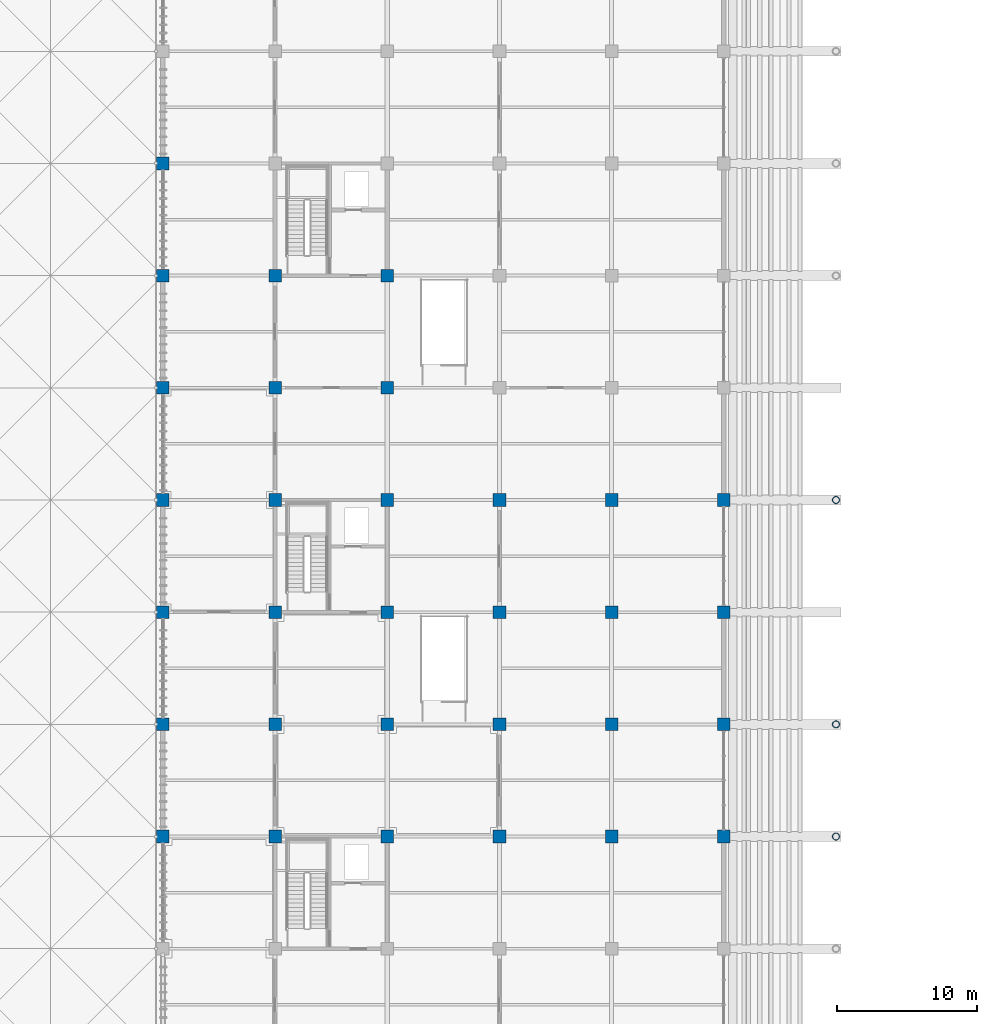
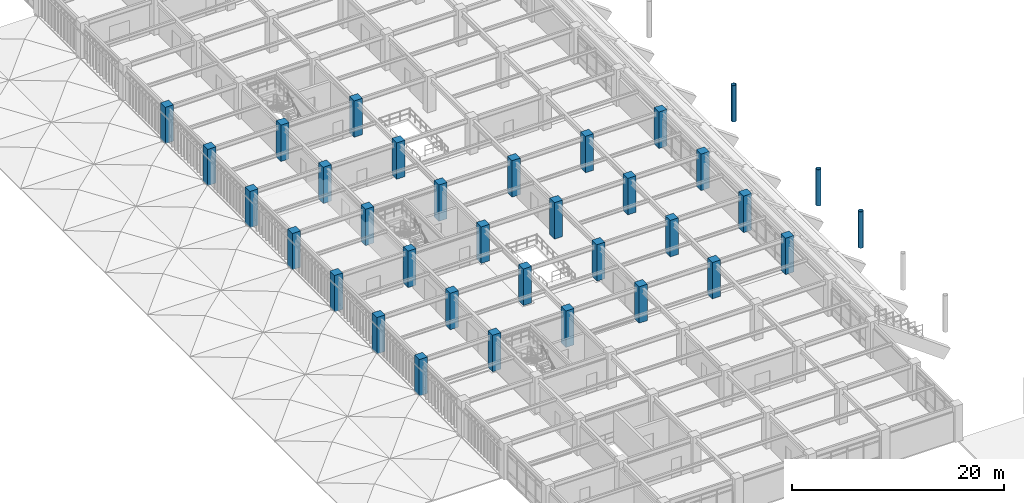
# One storey, part 4 of 118: 34 columns.
"""IFC4 building model written with IfcOpenShell, lengths in metres."""

import ifcopenshell
import ifcopenshell.guid

model = None  # the IFC model being written
_history = None  # IfcOwnerHistory: only IFC2X3 demands one
_inside = {}  # id of a spatial element -> (the spatial element, [elements in it])
_under = {}  # id of a project, library or spatial element -> (it, [spatial elements below it])
_declared = {}  # id of a project -> (the project, [libraries it declares])
_typed = {}  # id of a type object -> (the type object, [elements of that type])
_made_of = {}  # id of a material, layer set ... -> (it, [elements and type objects made of it])


def new_model(schema):
    """Start an empty IFC model of exactly this schema.

    Asked for "IFC4X3", IfcOpenShell would pick the latest addendum, in which some entities
    have other attributes; the version numbers below select the first issue.
    IFC2X3 requires an IfcOwnerHistory on every rooted entity: one is made here for all.
    """
    global model, _history
    if schema == "IFC4X3":
        model = ifcopenshell.file(schema_version=(4, 3, 0, 0))
    else:
        model = ifcopenshell.file(schema=schema)
    _inside.clear()
    _under.clear()
    _declared.clear()
    _typed.clear()
    _made_of.clear()
    _history = None
    if model.schema == "IFC2X3":
        org = make("IfcOrganization", Name="unknown")
        user = make(
            "IfcPersonAndOrganization",
            ThePerson=make("IfcPerson", FamilyName="unknown"),
            TheOrganization=org,
        )
        app = make(
            "IfcApplication",
            ApplicationDeveloper=org,
            Version="unknown",
            ApplicationFullName="unknown",
            ApplicationIdentifier="unknown",
        )
        _history = make(
            "IfcOwnerHistory",
            OwningUser=user,
            OwningApplication=app,
            ChangeAction="ADDED",
            CreationDate=0,
        )
    return model


def make(cls, **values):
    """One entity of the class cls with the attributes given. An attribute that is None is left unset."""
    return model.create_entity(
        cls, **{name: value for name, value in values.items() if value is not None}
    )


def rooted(cls, **values):
    """An entity with a GlobalId (a new one), such as an element, a storey or a relation."""
    return make(cls, GlobalId=ifcopenshell.guid.new(), OwnerHistory=_history, **values)


def si_unit(unit_type, name, prefix=None):
    """IfcSIUnit, for example si_unit("LENGTHUNIT", "METRE", prefix="MILLI")."""
    return make("IfcSIUnit", UnitType=unit_type, Prefix=prefix, Name=name)


def assignment(units):
    """IfcUnitAssignment: the units of a project."""
    return None if units is None else make("IfcUnitAssignment", Units=units)


def point(xyz):
    """IfcCartesianPoint."""
    return None if xyz is None else make("IfcCartesianPoint", Coordinates=xyz)


def direction(xyz):
    """IfcDirection."""
    return None if xyz is None else make("IfcDirection", DirectionRatios=xyz)


def frame(location, z_axis=None, x_axis=None):
    """IfcAxis2Placement3D, a coordinate frame: its origin and axes. An axis left out is left unset."""
    return make(
        "IfcAxis2Placement3D",
        Location=point(location),
        Axis=direction(z_axis),
        RefDirection=direction(x_axis),
    )


def frame_2d(location, x_axis=None):
    """IfcAxis2Placement2D, a coordinate frame in the plane: its origin and x axis."""
    return make(
        "IfcAxis2Placement2D", Location=point(location), RefDirection=direction(x_axis)
    )


def origin():
    """The frame at (0, 0, 0) with its axes left unset."""
    return frame((0.0, 0.0, 0.0))


def origin_2d():
    """The frame at (0, 0) in the plane with its x axis left unset."""
    return frame_2d((0.0, 0.0))


def place(relative_to, where):
    """IfcLocalPlacement: puts the frame where relative to a parent placement (None: the world)."""
    return make(
        "IfcLocalPlacement", PlacementRelTo=relative_to, RelativePlacement=where
    )


def context(
    kind, dimensions, precision=None, world=None, true_north=None, identifier=None
):
    """IfcGeometricRepresentationContext, for example the 3D "Model" context."""
    return make(
        "IfcGeometricRepresentationContext",
        ContextIdentifier=identifier,
        ContextType=kind,
        CoordinateSpaceDimension=dimensions,
        Precision=precision,
        WorldCoordinateSystem=world,
        TrueNorth=true_north,
    )


def subcontext(parent, identifier, kind, view, scale=None):
    """IfcGeometricRepresentationSubContext, for example "Body" below "Model"."""
    return make(
        "IfcGeometricRepresentationSubContext",
        ContextIdentifier=identifier,
        ContextType=kind,
        ParentContext=parent,
        TargetScale=scale,
        TargetView=view,
    )


def project(units=None, contexts=None):
    """IfcProject with its units and contexts."""
    return rooted(
        "IfcProject",
        Name="project",
        RepresentationContexts=contexts,
        UnitsInContext=assignment(units),
    )


def spatial(cls, under=None, at=None, **own):
    """A site, building, storey or space (cls), placed at a placement, below another one or the project."""
    s = rooted(cls, ObjectPlacement=at, **own)
    if under is not None:
        _under.setdefault(under.id(), (under, []))[1].append(s)
    return s


def profile(cls, at=None, kind="AREA", **sizes):
    """A parametric profile (cls). Its sizes go by their IFC names, for example OverallWidth=200.0."""
    return make(cls, ProfileType=kind, Position=at, **sizes)


def rectangle(**sizes):
    """IfcRectangleProfileDef."""
    return profile("IfcRectangleProfileDef", **sizes)


def hollow_circle(**sizes):
    """IfcCircleHollowProfileDef."""
    return profile("IfcCircleHollowProfileDef", **sizes)


def extrude(swept, where, along, depth):
    """IfcExtrudedAreaSolid: the profile swept, set in the frame where, extruded along a direction by depth."""
    return make(
        "IfcExtrudedAreaSolid",
        SweptArea=swept,
        Position=where,
        ExtrudedDirection=direction(along),
        Depth=depth,
    )


def shape(context_of_items, identifier, shape_type, items):
    """IfcShapeRepresentation: the items that make up one representation, for example the "Body"."""
    return make(
        "IfcShapeRepresentation",
        ContextOfItems=context_of_items,
        RepresentationIdentifier=identifier,
        RepresentationType=shape_type,
        Items=items,
    )


def material(Name=None, Category=None):
    """IfcMaterial."""
    return make("IfcMaterial", Name=Name, Category=Category)


def material_profile(
    of_material, cross_section, Name=None, Category=None, Priority=None
):
    """IfcMaterialProfile: a cross section and its material."""
    return make(
        "IfcMaterialProfile",
        Name=Name,
        Material=of_material,
        Profile=cross_section,
        Priority=Priority,
        Category=Category,
    )


def profile_set(profiles, Name=None, composite=None):
    """IfcMaterialProfileSet."""
    return make(
        "IfcMaterialProfileSet",
        Name=Name,
        MaterialProfiles=profiles,
        CompositeProfile=composite,
    )


def made_of(thing, what):
    """Note that an element or type object is made of a material, layer set ...; save() writes the relation."""
    if what is not None:
        _made_of.setdefault(what.id(), (what, []))[1].append(thing)
    return thing


def type_object(cls, material=None, **own):
    """A type object (cls), such as IfcWallType, which elements share."""
    return made_of(rooted(cls, **own), material)


def element(
    cls,
    number,
    at=None,
    inside=None,
    cuts=None,
    type_object=None,
    material=None,
    context=None,
    identifier="Body",
    shape_type=None,
    held_by="IfcProductDefinitionShape",
    body=None,
    shapes=None,
    **own,
):
    """One element of the class cls, such as IfcWall. Its Tag is "e" and its number.

    at: its placement. inside: the storey or other place that contains it. cuts: it is an
    opening in that element (IfcRelVoidsElement). A single representation is given by context,
    identifier, shape_type and body (its items); several are given by shapes. held_by: the class
    of the entity that holds the representations. save() writes the other relations.
    """
    e = rooted(cls, Tag="e%d" % number, ObjectPlacement=at, **own)
    if body is not None:
        shapes = [shape(context, identifier, shape_type, body)]
    if shapes is not None:
        e.Representation = make(held_by, Representations=shapes)
    if inside is not None:
        _inside.setdefault(inside.id(), (inside, []))[1].append(e)
    if cuts is not None:
        rooted(
            "IfcRelVoidsElement", RelatingBuildingElement=cuts, RelatedOpeningElement=e
        )
    if type_object is not None:
        _typed.setdefault(type_object.id(), (type_object, []))[1].append(e)
    return made_of(e, material)


def aggregate(whole, parts):
    """IfcRelAggregates: a whole, such as a stair, and the parts it consists of."""
    return rooted("IfcRelAggregates", RelatingObject=whole, RelatedObjects=parts)


def save(model, path):
    """Write the relations noted so far, then the file.

    IfcRelAggregates (storeys below a building ...), IfcRelContainedInSpatialStructure (elements
    in a storey), IfcRelDefinesByType, IfcRelAssociatesMaterial and IfcRelDeclares: one each for
    every whole, place, type object, material and project.
    """
    for whole, parts in _under.values():
        aggregate(whole, parts)
    for where, things in _inside.values():
        rooted(
            "IfcRelContainedInSpatialStructure",
            RelatedElements=things,
            RelatingStructure=where,
        )
    for kind, things in _typed.values():
        rooted("IfcRelDefinesByType", RelatedObjects=things, RelatingType=kind)
    for what, things in _made_of.values():
        rooted("IfcRelAssociatesMaterial", RelatedObjects=things, RelatingMaterial=what)
    for by, libraries in _declared.values():
        rooted("IfcRelDeclares", RelatingContext=by, RelatedDefinitions=libraries)
    model.write(path)


model = new_model("IFC4")

# Units and contexts
model_context = context("Model", 3, precision=1e-05, world=origin(), true_north=direction((0.0, 1.0)))
body_context = subcontext(model_context, "Body", "Model", "MODEL_VIEW")
ifc_project = project(units=[si_unit("LENGTHUNIT", "METRE"), si_unit("AREAUNIT", "SQUARE_METRE"), si_unit("VOLUMEUNIT", "CUBIC_METRE"), si_unit("PLANEANGLEUNIT", "RADIAN"), si_unit("MASSUNIT", "GRAM", prefix="KILO")], contexts=[model_context])

# Site, building, storey
site_placement = place(None, origin())
site = spatial("IfcSite", under=ifc_project, at=site_placement, CompositionType="ELEMENT")
building_placement = place(site_placement, origin())
building = spatial("IfcBuilding", under=site, at=building_placement, Name="Haebicheon Civic Stadium", CompositionType="ELEMENT")
storey_placement = place(building_placement, frame((0.0, 0.0, 14.39990234375)))
storey = spatial("IfcBuildingStorey", under=building, at=storey_placement, Name="L04", CompositionType="ELEMENT", Elevation=14.39990234375)

# Columns
ifc_material_1 = material(Name="Concrete C40/50", Category="concrete")
ifc_material_profile_1 = material_profile(ifc_material_1, rectangle(XDim=0.89990234375, YDim=0.89990234375, at=origin_2d()), Name="RC-COL-900x900")
ifc_profile_set_1 = profile_set([ifc_material_profile_1], Name="Concrete C40/50")
column_type_1 = type_object("IfcColumnType", Name="COL-RC-900", PredefinedType="COLUMN", material=ifc_profile_set_1)
for number, where, z_axis, x_axis, name in (
    (1, (24.0, 64.0, 0.0), (0.0, 0.0, 1.0), (1.0, 0.0, 0.0), "L04 column 4/J"),
    (2, (24.0, 72.0, 0.0), (0.0, 0.0, 1.0), (1.0, 0.0, 0.0), "L04 column 4/K"),
    (3, (24.0, 80.0, 0.0), (0.0, 0.0, 1.0), (1.0, 0.0, 0.0), "L04 column 4/L"),
    (4, (24.0, 88.0, 0.0), (0.0, 0.0, 1.0), (1.0, 0.0, 0.0), "L04 column 4/M"),
    (5, (24.0, 96.0, 0.0), (0.0, 0.0, 1.0), (1.0, 0.0, 0.0), "L04 column 4/N"),
    (6, (24.0, 104.0, 0.0), (0.0, 0.0, 1.0), (1.0, 0.0, 0.0), "L04 column 4/P"),
    (7, (24.0, 112.0, 0.0), (0.0, 0.0, 1.0), (1.0, 0.0, 0.0), "L04 column 4/Q"),
    (8, (32.0, 64.0, 0.0), (0.0, 0.0, 1.0), (1.0, 0.0, 0.0), "L04 column 5/J"),
    (9, (32.0, 72.0, 0.0), (0.0, 0.0, 1.0), (1.0, 0.0, 0.0), "L04 column 5/K"),
    (10, (32.0, 80.0, 0.0), (0.0, 0.0, 1.0), (1.0, 0.0, 0.0), "L04 column 5/L"),
    (11, (32.0, 88.0, 0.0), (0.0, 0.0, 1.0), (1.0, 0.0, 0.0), "L04 column 5/M"),
    (12, (32.0, 96.0, 0.0), (0.0, 0.0, 1.0), (1.0, 0.0, 0.0), "L04 column 5/N"),
    (13, (32.0, 104.0, 0.0), (0.0, 0.0, 1.0), (1.0, 0.0, 0.0), "L04 column 5/P"),
    (14, (40.0, 64.0, 0.0), (0.0, 0.0, 1.0), (1.0, 0.0, 0.0), "L04 column 6/J"),
    (15, (40.0, 72.0, 0.0), (0.0, 0.0, 1.0), (1.0, 0.0, 0.0), "L04 column 6/K"),
    (16, (40.0, 80.0, 0.0), (0.0, 0.0, 1.0), (1.0, 0.0, 0.0), "L04 column 6/L"),
    (17, (40.0, 88.0, 0.0), (0.0, 0.0, 1.0), (1.0, 0.0, 0.0), "L04 column 6/M"),
    (18, (40.0, 96.0, 0.0), (0.0, 0.0, 1.0), (1.0, 0.0, 0.0), "L04 column 6/N"),
    (19, (40.0, 104.0, 0.0), (0.0, 0.0, 1.0), (1.0, 0.0, 0.0), "L04 column 6/P"),
    (20, (48.0, 64.0, 0.0), (0.0, 0.0, 1.0), (1.0, 0.0, 0.0), "L04 column 7/J"),
    (21, (48.0, 72.0, 0.0), (0.0, 0.0, 1.0), (1.0, 0.0, 0.0), "L04 column 7/K"),
    (22, (48.0, 80.0, 0.0), (0.0, 0.0, 1.0), (1.0, 0.0, 0.0), "L04 column 7/L"),
    (23, (48.0, 88.0, 0.0), (0.0, 0.0, 1.0), (1.0, 0.0, 0.0), "L04 column 7/M"),
    (24, (56.0, 64.0, 0.0), (0.0, 0.0, 1.0), (1.0, 0.0, 0.0), "L04 column 8/J"),
    (25, (56.0, 72.0, 0.0), (0.0, 0.0, 1.0), (1.0, 0.0, 0.0), "L04 column 8/K"),
    (26, (56.0, 80.0, 0.0), (0.0, 0.0, 1.0), (1.0, 0.0, 0.0), "L04 column 8/L"),
    (27, (56.0, 88.0, 0.0), (0.0, 0.0, 1.0), (1.0, 0.0, 0.0), "L04 column 8/M"),
    (28, (64.0, 64.0, 0.0), (0.0, 0.0, 1.0), (1.0, 0.0, 0.0), "L04 column 9/J"),
    (29, (64.0, 72.0, 0.0), (0.0, 0.0, 1.0), (1.0, 0.0, 0.0), "L04 column 9/K"),
    (30, (64.0, 80.0, 0.0), (0.0, 0.0, 1.0), (1.0, 0.0, 0.0), "L04 column 9/L"),
    (31, (64.0, 88.0, 0.0), (0.0, 0.0, 1.0), (1.0, 0.0, 0.0), "L04 column 9/M"),
):
    element("IfcColumn", number, at=place(storey_placement, frame(where, z_axis=z_axis, x_axis=x_axis)), inside=storey, type_object=column_type_1, material=ifc_profile_set_1, Name=name, PredefinedType="COLUMN", context=body_context, shape_type="SweptSolid", body=[
        extrude(rectangle(XDim=0.89990234375, YDim=0.89990234375, at=origin_2d()), origin(), (0.0, 0.0, 1.0), 4.2001953125),
    ])
ifc_material_2 = material(Name="White painted steel SM490", Category="steel")
ifc_material_profile_2 = material_profile(ifc_material_2, hollow_circle(Radius=0.25390625, WallThickness=0.02490234375, at=origin_2d()), Name="CHS-508.0x25.0")
ifc_profile_set_2 = profile_set([ifc_material_profile_2], Name="White painted steel SM490")
column_type_2 = type_object("IfcColumnType", Name="COL-ST-CHS508", PredefinedType="COLUMN", material=ifc_profile_set_2)
for number, where, z_axis, x_axis, name in (
    (32, (72.0, 64.0, 0.0), (0.0, 0.0, 1.0), (1.0, 0.0, 0.0), "Bowl/canopy support column 72/64 (L04)"),
    (33, (72.0, 72.0, 0.0), (0.0, 0.0, 1.0), (1.0, 0.0, 0.0), "Bowl/canopy support column 72/72 (L04)"),
    (34, (72.0, 88.0, 0.0), (0.0, 0.0, 1.0), (1.0, 0.0, 0.0), "Bowl/canopy support column 72/88 (L04)"),
):
    element("IfcColumn", number, at=place(storey_placement, frame(where, z_axis=z_axis, x_axis=x_axis)), inside=storey, type_object=column_type_2, material=ifc_profile_set_2, Name=name, PredefinedType="COLUMN", context=body_context, shape_type="SweptSolid", body=[
        extrude(hollow_circle(Radius=0.25390625, WallThickness=0.02490234375, at=origin_2d()), origin(), (0.0, 0.0, 1.0), 4.2001953125),
    ])

save(model, "model.ifc")
